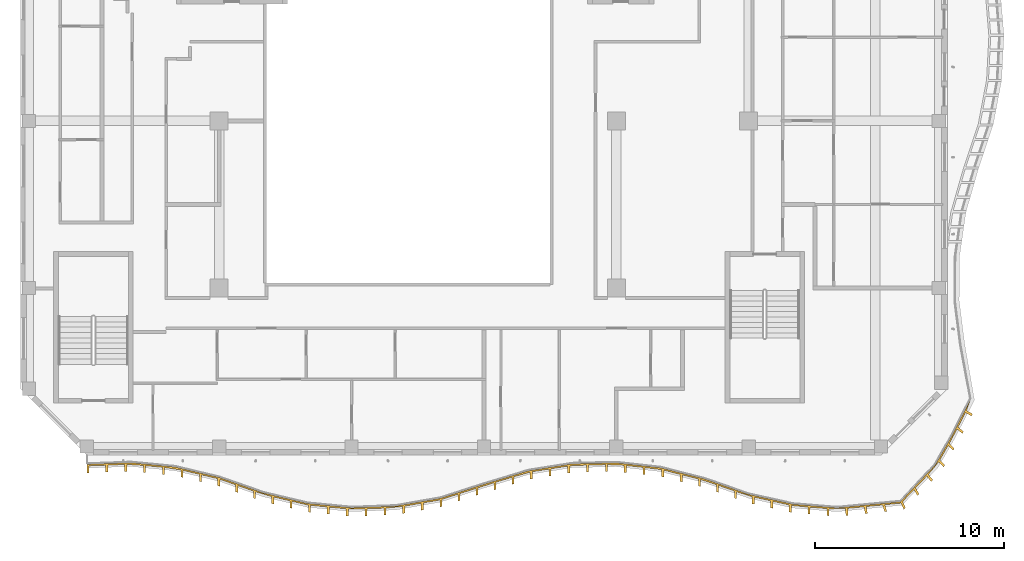
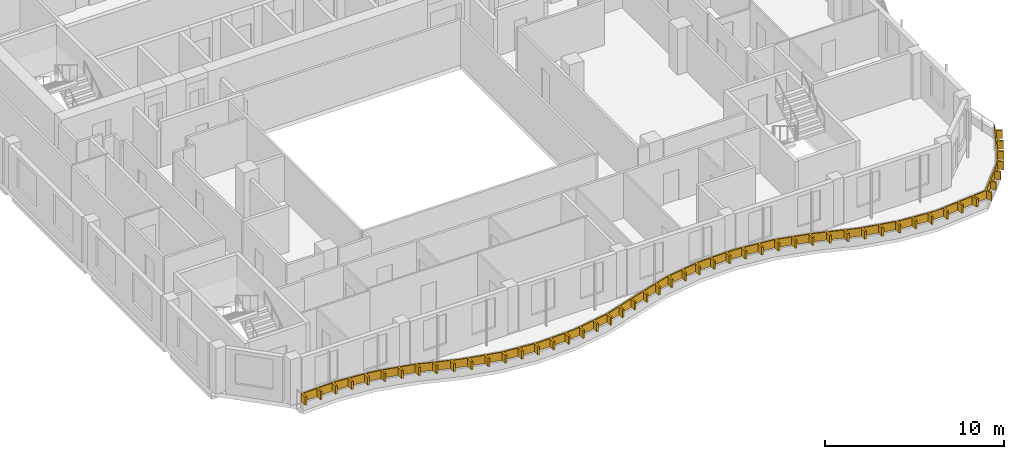
# One storey, part 14 of 20: 1 shading device.
"""IFC4 building model written with IfcOpenShell, lengths in metres."""

from ifc_helpers import new_model, si_unit, direction, frame, origin, place, context, subcontext, project, spatial, polyline, outline, extrude, source, transform, mapped, material, layer, layer_set, type_object, element, save


model = new_model("IFC4")

# Units and contexts
model_context = context("Model", 3, precision=1e-05, world=origin(), true_north=direction((0.0, 1.0)))
body_context = subcontext(model_context, "Body", "Model", "MODEL_VIEW")
ifc_project = project(units=[si_unit("LENGTHUNIT", "METRE"), si_unit("AREAUNIT", "SQUARE_METRE"), si_unit("VOLUMEUNIT", "CUBIC_METRE"), si_unit("PLANEANGLEUNIT", "RADIAN"), si_unit("MASSUNIT", "GRAM", prefix="KILO")], contexts=[model_context])

# Site, building, storey
site_placement = place(None, origin())
site = spatial("IfcSite", under=ifc_project, at=site_placement, CompositionType="ELEMENT")
building_placement = place(site_placement, origin())
building = spatial("IfcBuilding", under=site, at=building_placement, Name="Kilnfold Tower and Market Hall", CompositionType="ELEMENT")
storey_placement = place(building_placement, frame((0.0, 0.0, 239.0)))
storey = spatial("IfcBuildingStorey", under=building, at=storey_placement, Name="L57", CompositionType="ELEMENT", Elevation=239.0)

# Shading device
ifc_material = material(Name="Bronze anodised aluminium", Category="aluminium")
ifc_layer = layer(ifc_material, 0.550048828125)
ifc_layer_set = layer_set([ifc_layer], Name="Bronze anodised aluminium")
shading_device_type = type_object("IfcShadingDeviceType", Name="BRONZE SLAT FASCIA 550", PredefinedType="USERDEFINED", material=ifc_layer_set)
shared_shape = source(origin(), body_context, "Body", "SweptSolid", [
    extrude(outline(polyline([(-16.0, -19.44482421875), (-16.0, -18.994873046875), (-13.666748046875, -18.90771484375), (-11.333251953125, -19.135009765625), (-9.0, -19.689453125), (-6.666748046875, -20.50927734375), (-4.333251953125, -21.064208984375), (-2.0, -21.292236328125), (0.333251953125, -21.20556640625), (2.666748046875, -20.7998046875), (5.0, -20.052001953125), (7.333251953125, -19.34130859375), (9.666748046875, -18.97021484375), (12.0, -18.9169921875), (14.333251953125, -19.1787109375), (16.666748046875, -19.770263671875), (19.0, -20.5859375), (21.333251953125, -21.1044921875), (23.666748046875, -21.2978515625), (27.024658203125, -20.973388671875), (28.863525390625, -19.030029296875), (29.71484375, -17.54833984375), (30.70849609375, -15.607421875), (30.5166015625, -16.15087890625), (30.836669921875, -16.32861328125), (30.77880859375, -16.439208984375), (30.462646484375, -16.25537109375), (30.068603515625, -17.0224609375), (30.3544921875, -17.251220703125), (30.296630859375, -17.362060546875), (30.01513671875, -17.127197265625), (29.60546875, -17.893798828125), (29.866943359375, -18.155517578125), (29.80712890625, -18.259521484375), (29.545654296875, -17.997802734375), (29.107177734375, -18.760986328125), (29.368896484375, -19.022705078125), (29.30908203125, -19.126708984375), (29.04736328125, -18.864990234375), (28.495849609375, -19.5302734375), (28.731201171875, -19.811279296875), (28.644775390625, -19.900390625), (28.414306640625, -19.615478515625), (27.818115234375, -20.2421875), (28.010009765625, -20.552978515625), (27.92333984375, -20.64208984375), (27.73681640625, -20.327880859375), (27.141357421875, -20.956298828125), (27.28857421875, -21.294921875), (27.2021484375, -21.3837890625), (27.06005859375, -21.042236328125), (26.197998046875, -21.12939453125), (26.30419921875, -21.47998046875), (26.181396484375, -21.492431640625), (26.080078125, -21.140625), (25.216064453125, -21.224609375), (25.28125, -21.583984375), (25.158447265625, -21.596435546875), (25.098388671875, -21.236083984375), (24.234619140625, -21.3212890625), (24.25830078125, -21.687744140625), (24.1357421875, -21.7001953125), (24.11669921875, -21.3330078125), (23.24658203125, -21.343017578125), (23.24658203125, -21.713134765625), (23.126953125, -21.703125), (23.126953125, -21.3330078125), (22.25, -21.260498046875), (22.25, -21.63037109375), (22.130615234375, -21.62060546875), (22.130615234375, -21.25048828125), (21.255126953125, -21.1669921875), (21.255126953125, -21.537109375), (21.137939453125, -21.510986328125), (21.137939453125, -21.14111328125), (20.27880859375, -20.9501953125), (20.27880859375, -21.320068359375), (20.161865234375, -21.294189453125), (20.161865234375, -20.924072265625), (19.302734375, -20.733154296875), (19.302734375, -21.103271484375), (19.185546875, -21.0771484375), (19.185546875, -20.70703125), (18.3486328125, -20.438232421875), (18.3486328125, -20.808349609375), (18.235595703125, -20.768798828125), (18.235595703125, -20.398681640625), (17.40478515625, -20.1083984375), (17.40478515625, -20.478271484375), (17.29150390625, -20.438720703125), (17.29150390625, -20.068603515625), (16.455078125, -19.796630859375), (16.455078125, -20.166748046875), (16.3388671875, -20.13720703125), (16.3388671875, -19.76708984375), (15.48583984375, -19.55078125), (15.48583984375, -19.9208984375), (15.36962890625, -19.891357421875), (15.36962890625, -19.521484375), (14.5166015625, -19.30517578125), (14.5166015625, -19.67529296875), (14.400390625, -19.645751953125), (14.400390625, -19.275634765625), (13.52734375, -19.168212890625), (13.52734375, -19.538330078125), (13.408203125, -19.52490234375), (13.408203125, -19.15478515625), (12.53369140625, -19.056884765625), (12.53369140625, -19.427001953125), (12.414306640625, -19.41357421875), (12.414306640625, -19.04345703125), (11.537109375, -19.007568359375), (11.537109375, -19.377685546875), (11.417236328125, -19.38037109375), (11.417236328125, -19.01025390625), (10.537353515625, -19.0302734375), (10.537353515625, -19.400390625), (10.41748046875, -19.403076171875), (10.41748046875, -19.033203125), (9.539306640625, -19.070556640625), (9.539306640625, -19.4404296875), (9.420654296875, -19.459228515625), (9.420654296875, -19.08935546875), (8.551513671875, -19.2275390625), (8.551513671875, -19.597412109375), (8.43310546875, -19.616455078125), (8.43310546875, -19.246337890625), (7.56396484375, -19.384521484375), (7.56396484375, -19.754638671875), (7.445556640625, -19.7734375), (7.445556640625, -19.403564453125), (6.60009765625, -19.64453125), (6.60009765625, -20.0146484375), (6.4853515625, -20.049560546875), (6.4853515625, -19.6796875), (5.6435546875, -19.93603515625), (5.6435546875, -20.305908203125), (5.52880859375, -20.3408203125), (5.52880859375, -19.970947265625), (4.6884765625, -20.23193359375), (4.6884765625, -20.601806640625), (4.57421875, -20.638427734375), (4.57421875, -20.2685546875), (3.736083984375, -20.537109375), (3.736083984375, -20.906982421875), (3.621826171875, -20.943603515625), (3.621826171875, -20.57373046875), (2.78369140625, -20.84228515625), (2.78369140625, -21.21240234375), (2.669677734375, -21.2490234375), (2.669677734375, -20.87890625), (1.802734375, -21.030029296875), (1.802734375, -21.400146484375), (1.684326171875, -21.420654296875), (1.684326171875, -21.05078125), (0.8173828125, -21.201416015625), (0.8173828125, -21.5712890625), (0.69921875, -21.592041015625), (0.69921875, -21.221923828125), (-0.1748046875, -21.304443359375), (-0.1748046875, -21.674560546875), (-0.294921875, -21.678955078125), (-0.294921875, -21.308837890625), (-1.17431640625, -21.341552734375), (-1.17431640625, -21.711669921875), (-1.294189453125, -21.716064453125), (-1.294189453125, -21.345947265625), (-2.1728515625, -21.355224609375), (-2.1728515625, -21.725341796875), (-2.292236328125, -21.713623046875), (-2.292236328125, -21.34375), (-3.168212890625, -21.258056640625), (-3.168212890625, -21.628173828125), (-3.28759765625, -21.616455078125), (-3.28759765625, -21.246337890625), (-4.163330078125, -21.160888671875), (-4.163330078125, -21.531005859375), (-4.28271484375, -21.519287109375), (-4.28271484375, -21.149169921875), (-5.14013671875, -20.952392578125), (-5.14013671875, -21.322509765625), (-5.2568359375, -21.294677734375), (-5.2568359375, -20.924560546875), (-6.11279296875, -20.720947265625), (-6.11279296875, -21.0908203125), (-6.229736328125, -21.063232421875), (-6.229736328125, -20.693115234375), (-7.072998046875, -20.4462890625), (-7.072998046875, -20.81640625), (-7.186279296875, -20.776611328125), (-7.186279296875, -20.40673828125), (-8.0166015625, -20.114990234375), (-8.0166015625, -20.485107421875), (-8.1298828125, -20.4453125), (-8.1298828125, -20.0751953125), (-8.960205078125, -19.783447265625), (-8.960205078125, -20.153564453125), (-9.07568359375, -20.12158203125), (-9.07568359375, -19.75146484375), (-9.931640625, -19.548095703125), (-9.931640625, -19.91796875), (-10.048583984375, -19.890380859375), (-10.048583984375, -19.520263671875), (-10.904541015625, -19.31689453125), (-10.904541015625, -19.686767578125), (-11.021484375, -19.658935546875), (-11.021484375, -19.2890625), (-11.889892578125, -19.16064453125), (-11.889892578125, -19.53076171875), (-12.009521484375, -19.51904296875), (-12.009521484375, -19.149169921875), (-12.88525390625, -19.063720703125), (-12.88525390625, -19.433837890625), (-13.0048828125, -19.422119140625), (-13.0048828125, -19.05224609375), (-13.881591796875, -18.99560546875), (-13.881591796875, -19.36572265625), (-14.00146484375, -19.3701171875), (-14.00146484375, -19.000244140625), (-14.880859375, -19.032958984375), (-14.880859375, -19.403076171875), (-15.000732421875, -19.407470703125), (-15.000732421875, -19.03759765625), (-15.880126953125, -19.0703125), (-15.880126953125, -19.440185546875), (-16.0, -19.44482421875)])), origin(), (0.0, 0.0, 1.0), 0.550048828125),
])
shading_device_placement = place(storey_placement, frame((0.0, 0.0, 0.550048828125)))
element("IfcShadingDevice", 1, at=shading_device_placement, inside=storey, type_object=shading_device_type, Name="Balcony slat fascia L57", ObjectType="SLAT", PredefinedType="USERDEFINED", context=body_context, shape_type="MappedRepresentation", body=[
    mapped(shared_shape, transform((0.0, 0.0, 0.0))),
])

save(model, "model.ifc")
